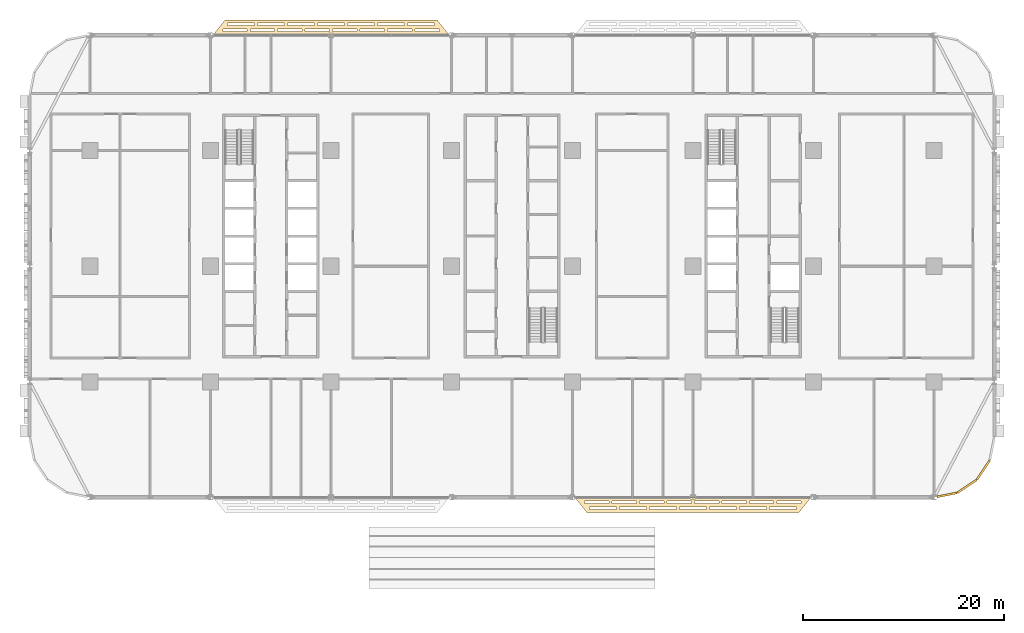
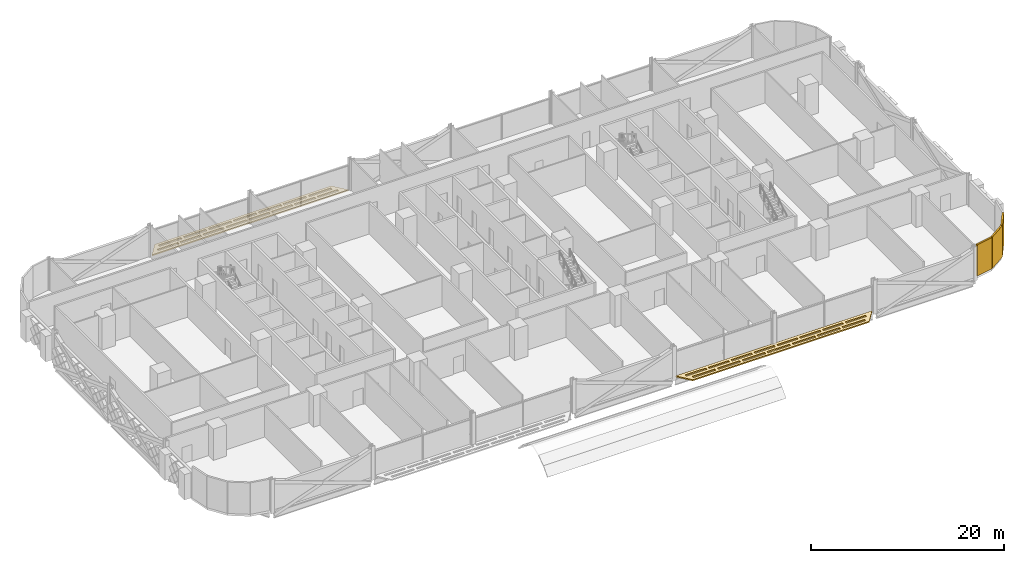
# One storey, part 24 of 26: 5 coverings.
"""IFC4 building model written with IfcOpenShell, lengths in metres."""

import ifcopenshell
import ifcopenshell.guid

model = None  # the IFC model being written
_history = None  # IfcOwnerHistory: only IFC2X3 demands one
_inside = {}  # id of a spatial element -> (the spatial element, [elements in it])
_under = {}  # id of a project, library or spatial element -> (it, [spatial elements below it])
_declared = {}  # id of a project -> (the project, [libraries it declares])
_typed = {}  # id of a type object -> (the type object, [elements of that type])
_made_of = {}  # id of a material, layer set ... -> (it, [elements and type objects made of it])


def new_model(schema):
    """Start an empty IFC model of exactly this schema.

    Asked for "IFC4X3", IfcOpenShell would pick the latest addendum, in which some entities
    have other attributes; the version numbers below select the first issue.
    IFC2X3 requires an IfcOwnerHistory on every rooted entity: one is made here for all.
    """
    global model, _history
    if schema == "IFC4X3":
        model = ifcopenshell.file(schema_version=(4, 3, 0, 0))
    else:
        model = ifcopenshell.file(schema=schema)
    _inside.clear()
    _under.clear()
    _declared.clear()
    _typed.clear()
    _made_of.clear()
    _history = None
    if model.schema == "IFC2X3":
        org = make("IfcOrganization", Name="unknown")
        user = make(
            "IfcPersonAndOrganization",
            ThePerson=make("IfcPerson", FamilyName="unknown"),
            TheOrganization=org,
        )
        app = make(
            "IfcApplication",
            ApplicationDeveloper=org,
            Version="unknown",
            ApplicationFullName="unknown",
            ApplicationIdentifier="unknown",
        )
        _history = make(
            "IfcOwnerHistory",
            OwningUser=user,
            OwningApplication=app,
            ChangeAction="ADDED",
            CreationDate=0,
        )
    return model


def make(cls, **values):
    """One entity of the class cls with the attributes given. An attribute that is None is left unset."""
    return model.create_entity(
        cls, **{name: value for name, value in values.items() if value is not None}
    )


def rooted(cls, **values):
    """An entity with a GlobalId (a new one), such as an element, a storey or a relation."""
    return make(cls, GlobalId=ifcopenshell.guid.new(), OwnerHistory=_history, **values)


def si_unit(unit_type, name, prefix=None):
    """IfcSIUnit, for example si_unit("LENGTHUNIT", "METRE", prefix="MILLI")."""
    return make("IfcSIUnit", UnitType=unit_type, Prefix=prefix, Name=name)


def assignment(units):
    """IfcUnitAssignment: the units of a project."""
    return None if units is None else make("IfcUnitAssignment", Units=units)


def point(xyz):
    """IfcCartesianPoint."""
    return None if xyz is None else make("IfcCartesianPoint", Coordinates=xyz)


def direction(xyz):
    """IfcDirection."""
    return None if xyz is None else make("IfcDirection", DirectionRatios=xyz)


def frame(location, z_axis=None, x_axis=None):
    """IfcAxis2Placement3D, a coordinate frame: its origin and axes. An axis left out is left unset."""
    return make(
        "IfcAxis2Placement3D",
        Location=point(location),
        Axis=direction(z_axis),
        RefDirection=direction(x_axis),
    )


def frame_2d(location, x_axis=None):
    """IfcAxis2Placement2D, a coordinate frame in the plane: its origin and x axis."""
    return make(
        "IfcAxis2Placement2D", Location=point(location), RefDirection=direction(x_axis)
    )


def origin():
    """The frame at (0, 0, 0) with its axes left unset."""
    return frame((0.0, 0.0, 0.0))


def origin_2d():
    """The frame at (0, 0) in the plane with its x axis left unset."""
    return frame_2d((0.0, 0.0))


def place(relative_to, where):
    """IfcLocalPlacement: puts the frame where relative to a parent placement (None: the world)."""
    return make(
        "IfcLocalPlacement", PlacementRelTo=relative_to, RelativePlacement=where
    )


def context(
    kind, dimensions, precision=None, world=None, true_north=None, identifier=None
):
    """IfcGeometricRepresentationContext, for example the 3D "Model" context."""
    return make(
        "IfcGeometricRepresentationContext",
        ContextIdentifier=identifier,
        ContextType=kind,
        CoordinateSpaceDimension=dimensions,
        Precision=precision,
        WorldCoordinateSystem=world,
        TrueNorth=true_north,
    )


def subcontext(parent, identifier, kind, view, scale=None):
    """IfcGeometricRepresentationSubContext, for example "Body" below "Model"."""
    return make(
        "IfcGeometricRepresentationSubContext",
        ContextIdentifier=identifier,
        ContextType=kind,
        ParentContext=parent,
        TargetScale=scale,
        TargetView=view,
    )


def project(units=None, contexts=None):
    """IfcProject with its units and contexts."""
    return rooted(
        "IfcProject",
        Name="project",
        RepresentationContexts=contexts,
        UnitsInContext=assignment(units),
    )


def spatial(cls, under=None, at=None, **own):
    """A site, building, storey or space (cls), placed at a placement, below another one or the project."""
    s = rooted(cls, ObjectPlacement=at, **own)
    if under is not None:
        _under.setdefault(under.id(), (under, []))[1].append(s)
    return s


def polyline(points):
    """IfcPolyline through the points."""
    return make("IfcPolyline", Points=[point(p) for p in points])


def profile(cls, at=None, kind="AREA", **sizes):
    """A parametric profile (cls). Its sizes go by their IFC names, for example OverallWidth=200.0."""
    return make(cls, ProfileType=kind, Position=at, **sizes)


def rectangle(**sizes):
    """IfcRectangleProfileDef."""
    return profile("IfcRectangleProfileDef", **sizes)


def outline(outer, holes=None, kind="AREA"):
    """IfcArbitraryClosedProfileDef: a profile drawn as a closed curve; with holes, ...WithVoids."""
    if holes is None:
        return make("IfcArbitraryClosedProfileDef", ProfileType=kind, OuterCurve=outer)
    return make(
        "IfcArbitraryProfileDefWithVoids",
        ProfileType=kind,
        OuterCurve=outer,
        InnerCurves=holes,
    )


def extrude(swept, where, along, depth):
    """IfcExtrudedAreaSolid: the profile swept, set in the frame where, extruded along a direction by depth."""
    return make(
        "IfcExtrudedAreaSolid",
        SweptArea=swept,
        Position=where,
        ExtrudedDirection=direction(along),
        Depth=depth,
    )


def shape(context_of_items, identifier, shape_type, items):
    """IfcShapeRepresentation: the items that make up one representation, for example the "Body"."""
    return make(
        "IfcShapeRepresentation",
        ContextOfItems=context_of_items,
        RepresentationIdentifier=identifier,
        RepresentationType=shape_type,
        Items=items,
    )


def material(Name=None, Category=None):
    """IfcMaterial."""
    return make("IfcMaterial", Name=Name, Category=Category)


def layer(
    of_material, thickness, ventilated=None, Name=None, Category=None, Priority=None
):
    """IfcMaterialLayer: one layer of a wall or slab, of a material (None: an air gap)."""
    return make(
        "IfcMaterialLayer",
        Material=of_material,
        LayerThickness=thickness,
        IsVentilated=ventilated,
        Name=Name,
        Category=Category,
        Priority=Priority,
    )


def layer_set(layers, Name=None):
    """IfcMaterialLayerSet."""
    return make("IfcMaterialLayerSet", MaterialLayers=layers, LayerSetName=Name)


def made_of(thing, what):
    """Note that an element or type object is made of a material, layer set ...; save() writes the relation."""
    if what is not None:
        _made_of.setdefault(what.id(), (what, []))[1].append(thing)
    return thing


def type_object(cls, material=None, **own):
    """A type object (cls), such as IfcWallType, which elements share."""
    return made_of(rooted(cls, **own), material)


def element(
    cls,
    number,
    at=None,
    inside=None,
    cuts=None,
    type_object=None,
    material=None,
    context=None,
    identifier="Body",
    shape_type=None,
    held_by="IfcProductDefinitionShape",
    body=None,
    shapes=None,
    **own,
):
    """One element of the class cls, such as IfcWall. Its Tag is "e" and its number.

    at: its placement. inside: the storey or other place that contains it. cuts: it is an
    opening in that element (IfcRelVoidsElement). A single representation is given by context,
    identifier, shape_type and body (its items); several are given by shapes. held_by: the class
    of the entity that holds the representations. save() writes the other relations.
    """
    e = rooted(cls, Tag="e%d" % number, ObjectPlacement=at, **own)
    if body is not None:
        shapes = [shape(context, identifier, shape_type, body)]
    if shapes is not None:
        e.Representation = make(held_by, Representations=shapes)
    if inside is not None:
        _inside.setdefault(inside.id(), (inside, []))[1].append(e)
    if cuts is not None:
        rooted(
            "IfcRelVoidsElement", RelatingBuildingElement=cuts, RelatedOpeningElement=e
        )
    if type_object is not None:
        _typed.setdefault(type_object.id(), (type_object, []))[1].append(e)
    return made_of(e, material)


def aggregate(whole, parts):
    """IfcRelAggregates: a whole, such as a stair, and the parts it consists of."""
    return rooted("IfcRelAggregates", RelatingObject=whole, RelatedObjects=parts)


def save(model, path):
    """Write the relations noted so far, then the file.

    IfcRelAggregates (storeys below a building ...), IfcRelContainedInSpatialStructure (elements
    in a storey), IfcRelDefinesByType, IfcRelAssociatesMaterial and IfcRelDeclares: one each for
    every whole, place, type object, material and project.
    """
    for whole, parts in _under.values():
        aggregate(whole, parts)
    for where, things in _inside.values():
        rooted(
            "IfcRelContainedInSpatialStructure",
            RelatedElements=things,
            RelatingStructure=where,
        )
    for kind, things in _typed.values():
        rooted("IfcRelDefinesByType", RelatedObjects=things, RelatingType=kind)
    for what, things in _made_of.values():
        rooted("IfcRelAssociatesMaterial", RelatedObjects=things, RelatingMaterial=what)
    for by, libraries in _declared.values():
        rooted("IfcRelDeclares", RelatingContext=by, RelatedDefinitions=libraries)
    model.write(path)


model = new_model("IFC4")

# Units and contexts
model_context = context("Model", 3, precision=1e-05, world=origin(), true_north=direction((0.0, 1.0)))
body_context = subcontext(model_context, "Body", "Model", "MODEL_VIEW")
ifc_project = project(units=[si_unit("LENGTHUNIT", "METRE"), si_unit("AREAUNIT", "SQUARE_METRE"), si_unit("VOLUMEUNIT", "CUBIC_METRE"), si_unit("PLANEANGLEUNIT", "RADIAN"), si_unit("MASSUNIT", "GRAM", prefix="KILO")], contexts=[model_context])

# Site, building, storey
site_placement = place(None, origin())
site = spatial("IfcSite", under=ifc_project, at=site_placement, CompositionType="ELEMENT")
building_placement = place(site_placement, origin())
building = spatial("IfcBuilding", under=site, at=building_placement, Name="Mahtab Terrace Research Tower", CompositionType="ELEMENT")
storey_placement = place(building_placement, frame((0.0, 0.0, 15.800048828125)))
storey = spatial("IfcBuildingStorey", under=building, at=storey_placement, Name="L03", CompositionType="ELEMENT", Elevation=15.800048828125)

# Coverings
ifc_material_1 = material(Name="Black aluminium cladding panel", Category="aluminium")
ifc_layer_1 = layer(ifc_material_1, 0.199951171875)
ifc_layer_set_1 = layer_set([ifc_layer_1], Name="Black metal corner cladding 200")
covering_type_1 = type_object("IfcCoveringType", Name="Black metal corner cladding 200", PredefinedType="CLADDING", material=ifc_layer_set_1)
covering_1_placement = place(storey_placement, frame((43.28173828125, -22.744873046875, 0.0), z_axis=(0.0, 0.0, 1.0), x_axis=(0.980760981187, 0.195212442692, 0.0)))
element("IfcCovering", 1, at=covering_1_placement, inside=storey, type_object=covering_type_1, Name="Corner cladding L03 29", PredefinedType="CLADDING", context=body_context, shape_type="SweptSolid", body=[
    extrude(rectangle(XDim=2.0283203125, YDim=0.199951171875, at=origin_2d()), origin(), (0.0, 0.0, 1.0), 3.9599609375),
])
for number, where, z_axis, x_axis, name in (
    (2, (45.26953125, -21.89306640625, 0.0), (0.0, 0.0, 1.0), (0.831655794326, 0.555291490808, 0.0), "Corner cladding L03 30"),
    (3, (46.89306640625, -20.26953125, 0.0), (0.0, 0.0, 1.0), (0.555291490808, 0.831655794326, 0.0), "Corner cladding L03 31"),
):
    element("IfcCovering", number, at=place(storey_placement, frame(where, z_axis=z_axis, x_axis=x_axis)), inside=storey, type_object=covering_type_1, Name=name, PredefinedType="CLADDING", context=body_context, shape_type="SweptSolid", body=[
        extrude(rectangle(XDim=2.30126953125, YDim=0.199951171875, at=origin_2d()), origin(), (0.0, 0.0, 1.0), 3.9599609375),
    ])
ifc_material_2 = material(Name="Black anodised aluminium", Category="aluminium")
ifc_layer_2 = layer(ifc_material_2, 0.14990234375)
ifc_layer_set_2 = layer_set([ifc_layer_2], Name="Horizontal sunshade band")
covering_type_2 = type_object("IfcCoveringType", Name="Horizontal sunshade band", PredefinedType="CLADDING", material=ifc_layer_set_2)
covering_2_placement = place(storey_placement, frame((0.0, 0.0, -0.150146484375)))
element("IfcCovering", 4, at=covering_2_placement, inside=storey, type_object=covering_type_2, Name="Sunshade band L03 7", PredefinedType="CLADDING", context=body_context, shape_type="SweptSolid", body=[
    extrude(outline(polyline([(-6.2490234375, 23.0), (-29.7509765625, 23.0), (-28.551025390625, 24.5), (-7.448974609375, 24.5), (-6.2490234375, 23.0)]), holes=[polyline([(-7.22900390625, 23.35009765625), (-9.658935546875, 23.35009765625), (-9.658935546875, 23.60009765625), (-7.22900390625, 23.60009765625), (-7.22900390625, 23.35009765625)]), polyline([(-9.958984375, 23.35009765625), (-12.388916015625, 23.35009765625), (-12.388916015625, 23.60009765625), (-9.958984375, 23.60009765625), (-9.958984375, 23.35009765625)]), polyline([(-12.68896484375, 23.35009765625), (-15.1201171875, 23.35009765625), (-15.1201171875, 23.60009765625), (-12.68896484375, 23.60009765625), (-12.68896484375, 23.35009765625)]), polyline([(-15.419921875, 23.35009765625), (-17.85009765625, 23.35009765625), (-17.85009765625, 23.60009765625), (-15.419921875, 23.60009765625), (-15.419921875, 23.35009765625)]), polyline([(-18.14990234375, 23.35009765625), (-20.580078125, 23.35009765625), (-20.580078125, 23.60009765625), (-18.14990234375, 23.60009765625), (-18.14990234375, 23.35009765625)]), polyline([(-20.8798828125, 23.35009765625), (-23.31005859375, 23.35009765625), (-23.31005859375, 23.60009765625), (-20.8798828125, 23.60009765625), (-20.8798828125, 23.35009765625)]), polyline([(-23.611083984375, 23.35009765625), (-26.041015625, 23.35009765625), (-26.041015625, 23.60009765625), (-23.611083984375, 23.60009765625), (-23.611083984375, 23.35009765625)]), polyline([(-26.341064453125, 23.35009765625), (-28.77099609375, 23.35009765625), (-28.77099609375, 23.60009765625), (-26.341064453125, 23.60009765625), (-26.341064453125, 23.35009765625)]), polyline([(-7.708984375, 23.949951171875), (-10.39208984375, 23.949951171875), (-10.39208984375, 24.199951171875), (-7.708984375, 24.199951171875), (-7.708984375, 23.949951171875)]), polyline([(-10.69189453125, 23.949951171875), (-13.375, 23.949951171875), (-13.375, 24.199951171875), (-10.69189453125, 24.199951171875), (-10.69189453125, 23.949951171875)]), polyline([(-13.675048828125, 23.949951171875), (-16.35791015625, 23.949951171875), (-16.35791015625, 24.199951171875), (-13.675048828125, 24.199951171875), (-13.675048828125, 23.949951171875)]), polyline([(-16.657958984375, 23.949951171875), (-19.342041015625, 23.949951171875), (-19.342041015625, 24.199951171875), (-16.657958984375, 24.199951171875), (-16.657958984375, 23.949951171875)]), polyline([(-19.64208984375, 23.949951171875), (-22.324951171875, 23.949951171875), (-22.324951171875, 24.199951171875), (-19.64208984375, 24.199951171875), (-19.64208984375, 23.949951171875)]), polyline([(-22.625, 23.949951171875), (-25.30810546875, 23.949951171875), (-25.30810546875, 24.199951171875), (-22.625, 24.199951171875), (-22.625, 23.949951171875)]), polyline([(-25.60791015625, 23.949951171875), (-28.291015625, 23.949951171875), (-28.291015625, 24.199951171875), (-25.60791015625, 24.199951171875), (-25.60791015625, 23.949951171875)])]), origin(), (0.0, 0.0, 1.0), 0.150146484375),
])
covering_3_placement = place(storey_placement, frame((0.0, 0.0, -0.150146484375)))
element("IfcCovering", 5, at=covering_3_placement, inside=storey, type_object=covering_type_2, Name="Sunshade band L03 26", PredefinedType="CLADDING", context=body_context, shape_type="SweptSolid", body=[
    extrude(outline(polyline([(6.2490234375, -23.0), (29.7509765625, -23.0), (28.551025390625, -24.5), (7.448974609375, -24.5), (6.2490234375, -23.0)]), holes=[polyline([(7.22900390625, -23.35009765625), (9.658935546875, -23.35009765625), (9.658935546875, -23.60009765625), (7.22900390625, -23.60009765625), (7.22900390625, -23.35009765625)]), polyline([(9.958984375, -23.35009765625), (12.388916015625, -23.35009765625), (12.388916015625, -23.60009765625), (9.958984375, -23.60009765625), (9.958984375, -23.35009765625)]), polyline([(12.68896484375, -23.35009765625), (15.1201171875, -23.35009765625), (15.1201171875, -23.60009765625), (12.68896484375, -23.60009765625), (12.68896484375, -23.35009765625)]), polyline([(15.419921875, -23.35009765625), (17.85009765625, -23.35009765625), (17.85009765625, -23.60009765625), (15.419921875, -23.60009765625), (15.419921875, -23.35009765625)]), polyline([(18.14990234375, -23.35009765625), (20.580078125, -23.35009765625), (20.580078125, -23.60009765625), (18.14990234375, -23.60009765625), (18.14990234375, -23.35009765625)]), polyline([(20.8798828125, -23.35009765625), (23.31005859375, -23.35009765625), (23.31005859375, -23.60009765625), (20.8798828125, -23.60009765625), (20.8798828125, -23.35009765625)]), polyline([(23.611083984375, -23.35009765625), (26.041015625, -23.35009765625), (26.041015625, -23.60009765625), (23.611083984375, -23.60009765625), (23.611083984375, -23.35009765625)]), polyline([(26.341064453125, -23.35009765625), (28.77099609375, -23.35009765625), (28.77099609375, -23.60009765625), (26.341064453125, -23.60009765625), (26.341064453125, -23.35009765625)]), polyline([(7.708984375, -23.949951171875), (10.39208984375, -23.949951171875), (10.39208984375, -24.199951171875), (7.708984375, -24.199951171875), (7.708984375, -23.949951171875)]), polyline([(10.69189453125, -23.949951171875), (13.375, -23.949951171875), (13.375, -24.199951171875), (10.69189453125, -24.199951171875), (10.69189453125, -23.949951171875)]), polyline([(13.675048828125, -23.949951171875), (16.35791015625, -23.949951171875), (16.35791015625, -24.199951171875), (13.675048828125, -24.199951171875), (13.675048828125, -23.949951171875)]), polyline([(16.657958984375, -23.949951171875), (19.342041015625, -23.949951171875), (19.342041015625, -24.199951171875), (16.657958984375, -24.199951171875), (16.657958984375, -23.949951171875)]), polyline([(19.64208984375, -23.949951171875), (22.324951171875, -23.949951171875), (22.324951171875, -24.199951171875), (19.64208984375, -24.199951171875), (19.64208984375, -23.949951171875)]), polyline([(22.625, -23.949951171875), (25.30810546875, -23.949951171875), (25.30810546875, -24.199951171875), (22.625, -24.199951171875), (22.625, -23.949951171875)]), polyline([(25.60791015625, -23.949951171875), (28.291015625, -23.949951171875), (28.291015625, -24.199951171875), (25.60791015625, -24.199951171875), (25.60791015625, -23.949951171875)])]), origin(), (0.0, 0.0, 1.0), 0.150146484375),
])

save(model, "model.ifc")
